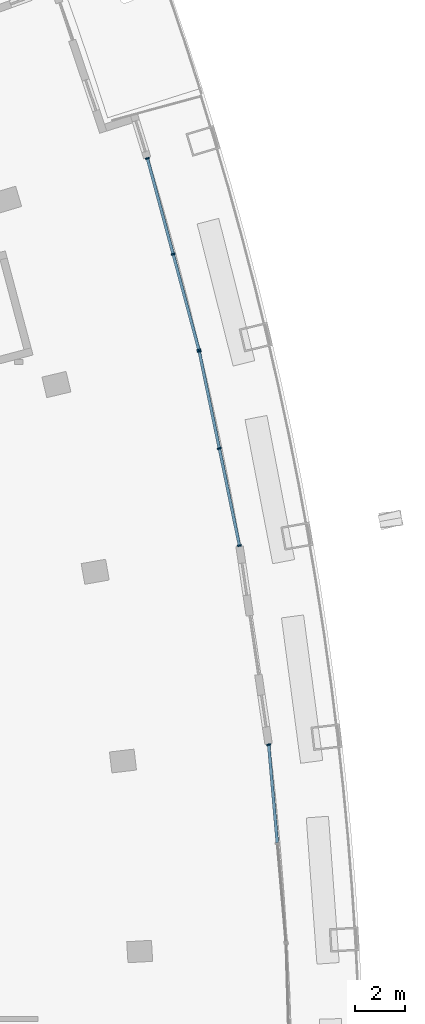
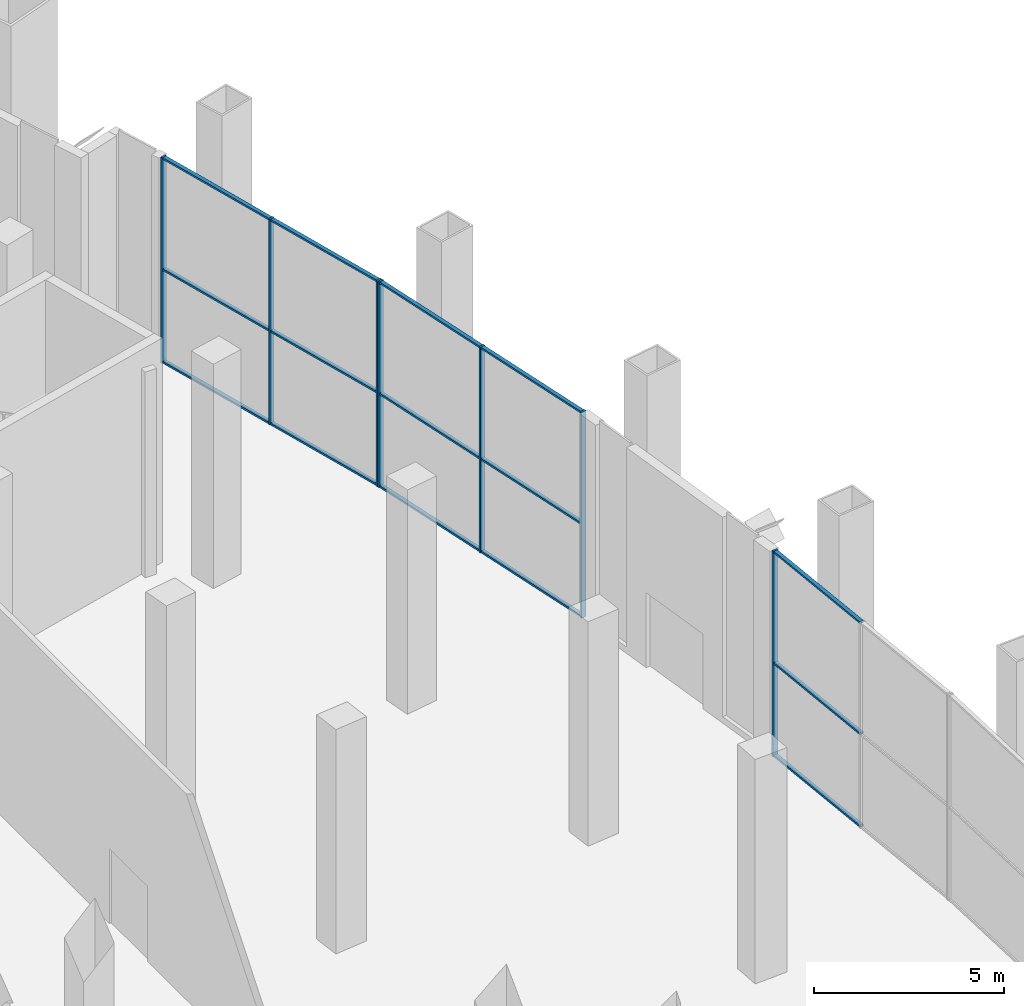
# One storey, part 6 of 18: 22 members, 3 elements without a shape of their own.
"""IFC4 building model written with IfcOpenShell, lengths in metres."""

from ifc_helpers import new_model, si_unit, direction, frame, origin, origin_2d, place, context, subcontext, project, spatial, rectangle, extrude, material, layer, layer_set, material_profile, profile_set, type_object, element, aggregate, save


model = new_model("IFC4")

# Units and contexts
model_context = context("Model", 3, precision=1e-05, world=origin(), true_north=direction((0.0, 1.0)))
body_context = subcontext(model_context, "Body", "Model", "MODEL_VIEW")
ifc_project = project(units=[si_unit("LENGTHUNIT", "METRE"), si_unit("AREAUNIT", "SQUARE_METRE"), si_unit("VOLUMEUNIT", "CUBIC_METRE"), si_unit("PLANEANGLEUNIT", "RADIAN"), si_unit("MASSUNIT", "GRAM", prefix="KILO")], contexts=[model_context])

# Site, building, storey
site_placement = place(None, origin())
site = spatial("IfcSite", under=ifc_project, at=site_placement, CompositionType="ELEMENT")
building_placement = place(site_placement, origin())
building = spatial("IfcBuilding", under=site, at=building_placement, Name="Alderwake Tower", CompositionType="ELEMENT")
storey_placement = place(building_placement, frame((0.0, 0.0, 125.60009765625)))
storey = spatial("IfcBuildingStorey", under=building, at=storey_placement, Name="L31", CompositionType="ELEMENT", Elevation=125.60009765625)

# Curtain wall, member
ifc_material_1 = material(Name="Bronze tinted glass in aluminium frame", Category="aluminium")
ifc_layer = layer(ifc_material_1, 0.199951171875)
ifc_layer_set = layer_set([ifc_layer], Name="Curtain wall CW3 sky garden glazing")
curtain_wall_type = type_object("IfcCurtainWallType", Name="Curtain wall CW3 sky garden glazing", PredefinedType="NOTDEFINED", material=ifc_layer_set)
curtain_wall_1_placement = place(storey_placement, origin())
curtain_wall_1 = element("IfcCurtainWall", 1, at=curtain_wall_1_placement, inside=storey, type_object=curtain_wall_type, Name="Curtain wall 8", PredefinedType="NOTDEFINED")
ifc_material_2 = material(Name="Aluminium bronze anodised", Category="aluminium")
ifc_material_profile_1 = material_profile(ifc_material_2, rectangle(XDim=0.159912109375, YDim=0.06005859375, at=origin_2d()), Name="Mullion MUC 60x160")
ifc_profile_set_1 = profile_set([ifc_material_profile_1], Name="Aluminium bronze anodised")
member_type_1 = type_object("IfcMemberType", Name="Mullion MUC 60x160", PredefinedType="MULLION", material=ifc_profile_set_1)
member_1_placement = place(storey_placement, frame((57.312744140625, 77.064208984375, 0.0), z_axis=(0.0, 0.0, 1.0), x_axis=(-0.996174383152, -0.087387632716, 0.0)))
member_1 = element("IfcMember", 2, at=member_1_placement, type_object=member_type_1, Name="CW.08 mullion 3", PredefinedType="MULLION", context=body_context, shape_type="SweptSolid", body=[
    extrude(rectangle(XDim=0.159912109375, YDim=0.06005859375, at=origin_2d()), origin(), (0.0, 0.0, 1.0), 6.599853515625),
])

# Curtain wall, members
curtain_wall_2_placement = place(storey_placement, origin())
curtain_wall_2 = element("IfcCurtainWall", 3, at=curtain_wall_2_placement, inside=storey, type_object=curtain_wall_type, Name="Curtain wall 9", PredefinedType="NOTDEFINED")
member_2_placement = place(storey_placement, frame((56.132568359375, 85.098388671875, 0.0), z_axis=(0.0, 0.0, 1.0), x_axis=(-0.979229280682, -0.202756050105, 0.0)))
member_2 = element("IfcMember", 4, at=member_2_placement, type_object=member_type_1, Name="CW.09 mullion 1", PredefinedType="MULLION", context=body_context, shape_type="SweptSolid", body=[
    extrude(rectangle(XDim=0.159912109375, YDim=0.06005859375, at=origin_2d()), origin(), (0.0, 0.0, 1.0), 6.599853515625),
])
member_3_placement = place(storey_placement, frame((55.321044921875, 89.0185546875, 0.0), z_axis=(0.0, 0.0, 1.0), x_axis=(-0.979229280682, -0.202756050105, 0.0)))
member_3 = element("IfcMember", 5, at=member_3_placement, type_object=member_type_1, Name="CW.09 mullion 2", PredefinedType="MULLION", context=body_context, shape_type="SweptSolid", body=[
    extrude(rectangle(XDim=0.159912109375, YDim=0.06005859375, at=origin_2d()), origin(), (0.0, 0.0, 1.0), 6.599853515625),
])
member_4_placement = place(storey_placement, frame((54.50927734375, 92.9384765625, 0.0), z_axis=(0.0, 0.0, 1.0), x_axis=(-0.979229280682, -0.202756050105, 0.0)))
member_4 = element("IfcMember", 6, at=member_4_placement, type_object=member_type_1, Name="CW.09 mullion 3", PredefinedType="MULLION", context=body_context, shape_type="SweptSolid", body=[
    extrude(rectangle(XDim=0.159912109375, YDim=0.06005859375, at=origin_2d()), origin(), (0.0, 0.0, 1.0), 6.599853515625),
])

curtain_wall_3_placement = place(storey_placement, origin())
curtain_wall_3 = element("IfcCurtainWall", 7, at=curtain_wall_3_placement, inside=storey, type_object=curtain_wall_type, Name="Curtain wall 10", PredefinedType="NOTDEFINED")
member_5_placement = place(storey_placement, frame((54.49609375, 92.993896484375, 0.0), z_axis=(0.0, 0.0, 1.0), x_axis=(-0.965743478497, -0.25949861992, 0.0)))
member_5 = element("IfcMember", 8, at=member_5_placement, type_object=member_type_1, Name="CW.10 mullion 1", PredefinedType="MULLION", context=body_context, shape_type="SweptSolid", body=[
    extrude(rectangle(XDim=0.159912109375, YDim=0.06005859375, at=origin_2d()), origin(), (0.0, 0.0, 1.0), 6.599853515625),
])
member_6_placement = place(storey_placement, frame((53.457275390625, 96.860107421875, 0.0), z_axis=(0.0, 0.0, 1.0), x_axis=(-0.965743478497, -0.25949861992, 0.0)))
member_6 = element("IfcMember", 9, at=member_6_placement, type_object=member_type_1, Name="CW.10 mullion 2", PredefinedType="MULLION", context=body_context, shape_type="SweptSolid", body=[
    extrude(rectangle(XDim=0.159912109375, YDim=0.06005859375, at=origin_2d()), origin(), (0.0, 0.0, 1.0), 6.599853515625),
])
member_7_placement = place(storey_placement, frame((52.41845703125, 100.72607421875, 0.0), z_axis=(0.0, 0.0, 1.0), x_axis=(-0.965743478497, -0.25949861992, 0.0)))
member_7 = element("IfcMember", 10, at=member_7_placement, type_object=member_type_1, Name="CW.10 mullion 3", PredefinedType="MULLION", context=body_context, shape_type="SweptSolid", body=[
    extrude(rectangle(XDim=0.159912109375, YDim=0.06005859375, at=origin_2d()), origin(), (0.0, 0.0, 1.0), 6.599853515625),
])

# Member
ifc_material_3 = material(Name="Aluminium bronze anodised", Category="aluminium")
ifc_material_profile_2 = material_profile(ifc_material_3, rectangle(XDim=0.1201171875, YDim=0.06005859375, at=origin_2d()), Name="Transom TRC 60x120")
ifc_profile_set_2 = profile_set([ifc_material_profile_2], Name="Aluminium bronze anodised")
member_type_2 = type_object("IfcMemberType", Name="Transom TRC 60x120", PredefinedType="USERDEFINED", material=ifc_profile_set_2)
member_8_placement = place(storey_placement, frame((57.659912109375, 73.106201171875, 0.02978515625), z_axis=(-0.087364344385, 0.996176425805, 0.0), x_axis=(-0.996176425805, -0.087364344385, 0.0)))
member_8 = element("IfcMember", 11, at=member_8_placement, type_object=member_type_2, Name="CW.08 transom 2.1", ObjectType="TRANSOM", PredefinedType="USERDEFINED", context=body_context, shape_type="SweptSolid", body=[
    extrude(rectangle(XDim=0.1201171875, YDim=0.06005859375, at=origin_2d()), origin(), (0.0, 0.0, 1.0), 3.943115234375),
])

member_9_placement = place(storey_placement, frame((57.659912109375, 73.106201171875, 3.0), z_axis=(-0.087364344385, 0.996176425805, 0.0), x_axis=(-0.996176425805, -0.087364344385, 0.0)))
member_9 = element("IfcMember", 12, at=member_9_placement, type_object=member_type_2, Name="CW.08 transom 2.2", ObjectType="TRANSOM", PredefinedType="USERDEFINED", context=body_context, shape_type="SweptSolid", body=[
    extrude(rectangle(XDim=0.1201171875, YDim=0.06005859375, at=origin_2d()), origin(), (0.0, 0.0, 1.0), 3.943115234375),
])

member_10_placement = place(storey_placement, frame((57.659912109375, 73.106201171875, 6.56982421875), z_axis=(-0.087364344385, 0.996176425805, 0.0), x_axis=(-0.996176425805, -0.087364344385, 0.0)))
member_10 = element("IfcMember", 13, at=member_10_placement, type_object=member_type_2, Name="CW.08 transom 2.3", ObjectType="TRANSOM", PredefinedType="USERDEFINED", context=body_context, shape_type="SweptSolid", body=[
    extrude(rectangle(XDim=0.1201171875, YDim=0.06005859375, at=origin_2d()), origin(), (0.0, 0.0, 1.0), 3.943115234375),
])

aggregate(curtain_wall_1, [member_1, member_8, member_9, member_10])

member_11_placement = place(storey_placement, frame((56.12646484375, 85.1279296875, 0.02978515625), z_axis=(-0.202720260793, 0.97923669042, 0.0), x_axis=(-0.97923669042, -0.202720260793, 0.0)))
member_11 = element("IfcMember", 14, at=member_11_placement, type_object=member_type_2, Name="CW.09 transom 1.1", ObjectType="TRANSOM", PredefinedType="USERDEFINED", context=body_context, shape_type="SweptSolid", body=[
    extrude(rectangle(XDim=0.1201171875, YDim=0.06005859375, at=origin_2d()), origin(), (0.0, 0.0, 1.0), 3.94287109375),
])

member_12_placement = place(storey_placement, frame((56.12646484375, 85.1279296875, 3.0), z_axis=(-0.202720260793, 0.97923669042, 0.0), x_axis=(-0.97923669042, -0.202720260793, 0.0)))
member_12 = element("IfcMember", 15, at=member_12_placement, type_object=member_type_2, Name="CW.09 transom 1.2", ObjectType="TRANSOM", PredefinedType="USERDEFINED", context=body_context, shape_type="SweptSolid", body=[
    extrude(rectangle(XDim=0.1201171875, YDim=0.06005859375, at=origin_2d()), origin(), (0.0, 0.0, 1.0), 3.94287109375),
])

member_13_placement = place(storey_placement, frame((56.12646484375, 85.1279296875, 6.56982421875), z_axis=(-0.202720260793, 0.97923669042, 0.0), x_axis=(-0.97923669042, -0.202720260793, 0.0)))
member_13 = element("IfcMember", 16, at=member_13_placement, type_object=member_type_2, Name="CW.09 transom 1.3", ObjectType="TRANSOM", PredefinedType="USERDEFINED", context=body_context, shape_type="SweptSolid", body=[
    extrude(rectangle(XDim=0.1201171875, YDim=0.06005859375, at=origin_2d()), origin(), (0.0, 0.0, 1.0), 3.94287109375),
])

member_14_placement = place(storey_placement, frame((55.31494140625, 89.0478515625, 0.02978515625), z_axis=(-0.202767339319, 0.979226943106, 0.0), x_axis=(-0.979226943106, -0.202767339319, 0.0)))
member_14 = element("IfcMember", 17, at=member_14_placement, type_object=member_type_2, Name="CW.09 transom 2.1", ObjectType="TRANSOM", PredefinedType="USERDEFINED", context=body_context, shape_type="SweptSolid", body=[
    extrude(rectangle(XDim=0.1201171875, YDim=0.06005859375, at=origin_2d()), origin(), (0.0, 0.0, 1.0), 3.943359375),
])

member_15_placement = place(storey_placement, frame((55.31494140625, 89.0478515625, 3.0), z_axis=(-0.202767339319, 0.979226943106, 0.0), x_axis=(-0.979226943106, -0.202767339319, 0.0)))
member_15 = element("IfcMember", 18, at=member_15_placement, type_object=member_type_2, Name="CW.09 transom 2.2", ObjectType="TRANSOM", PredefinedType="USERDEFINED", context=body_context, shape_type="SweptSolid", body=[
    extrude(rectangle(XDim=0.1201171875, YDim=0.06005859375, at=origin_2d()), origin(), (0.0, 0.0, 1.0), 3.943359375),
])

member_16_placement = place(storey_placement, frame((55.31494140625, 89.0478515625, 6.56982421875), z_axis=(-0.202767339319, 0.979226943106, 0.0), x_axis=(-0.979226943106, -0.202767339319, 0.0)))
member_16 = element("IfcMember", 19, at=member_16_placement, type_object=member_type_2, Name="CW.09 transom 2.3", ObjectType="TRANSOM", PredefinedType="USERDEFINED", context=body_context, shape_type="SweptSolid", body=[
    extrude(rectangle(XDim=0.1201171875, YDim=0.06005859375, at=origin_2d()), origin(), (0.0, 0.0, 1.0), 3.943359375),
])

aggregate(curtain_wall_2, [member_2, member_3, member_4, member_11, member_12, member_13, member_14, member_15, member_16])

member_17_placement = place(storey_placement, frame((54.48828125, 93.02294921875, 0.02978515625), z_axis=(-0.25948495371, 0.965747150552, 0.0), x_axis=(-0.965747150552, -0.25948495371, 0.0)))
member_17 = element("IfcMember", 20, at=member_17_placement, type_object=member_type_2, Name="CW.10 transom 1.1", ObjectType="TRANSOM", PredefinedType="USERDEFINED", context=body_context, shape_type="SweptSolid", body=[
    extrude(rectangle(XDim=0.1201171875, YDim=0.06005859375, at=origin_2d()), origin(), (0.0, 0.0, 1.0), 3.943115234375),
])

member_18_placement = place(storey_placement, frame((54.48828125, 93.02294921875, 3.0), z_axis=(-0.25948495371, 0.965747150552, 0.0), x_axis=(-0.965747150552, -0.25948495371, 0.0)))
member_18 = element("IfcMember", 21, at=member_18_placement, type_object=member_type_2, Name="CW.10 transom 1.2", ObjectType="TRANSOM", PredefinedType="USERDEFINED", context=body_context, shape_type="SweptSolid", body=[
    extrude(rectangle(XDim=0.1201171875, YDim=0.06005859375, at=origin_2d()), origin(), (0.0, 0.0, 1.0), 3.943115234375),
])

member_19_placement = place(storey_placement, frame((54.48828125, 93.02294921875, 6.56982421875), z_axis=(-0.25948495371, 0.965747150552, 0.0), x_axis=(-0.965747150552, -0.25948495371, 0.0)))
member_19 = element("IfcMember", 22, at=member_19_placement, type_object=member_type_2, Name="CW.10 transom 1.3", ObjectType="TRANSOM", PredefinedType="USERDEFINED", context=body_context, shape_type="SweptSolid", body=[
    extrude(rectangle(XDim=0.1201171875, YDim=0.06005859375, at=origin_2d()), origin(), (0.0, 0.0, 1.0), 3.943115234375),
])

member_20_placement = place(storey_placement, frame((53.449462890625, 96.888916015625, 0.02978515625), z_axis=(-0.25948495371, 0.965747150552, 0.0), x_axis=(-0.965747150552, -0.25948495371, 0.0)))
member_20 = element("IfcMember", 23, at=member_20_placement, type_object=member_type_2, Name="CW.10 transom 2.1", ObjectType="TRANSOM", PredefinedType="USERDEFINED", context=body_context, shape_type="SweptSolid", body=[
    extrude(rectangle(XDim=0.1201171875, YDim=0.06005859375, at=origin_2d()), origin(), (0.0, 0.0, 1.0), 3.943115234375),
])

member_21_placement = place(storey_placement, frame((53.449462890625, 96.888916015625, 3.0), z_axis=(-0.25948495371, 0.965747150552, 0.0), x_axis=(-0.965747150552, -0.25948495371, 0.0)))
member_21 = element("IfcMember", 24, at=member_21_placement, type_object=member_type_2, Name="CW.10 transom 2.2", ObjectType="TRANSOM", PredefinedType="USERDEFINED", context=body_context, shape_type="SweptSolid", body=[
    extrude(rectangle(XDim=0.1201171875, YDim=0.06005859375, at=origin_2d()), origin(), (0.0, 0.0, 1.0), 3.943115234375),
])

member_22_placement = place(storey_placement, frame((53.449462890625, 96.888916015625, 6.56982421875), z_axis=(-0.25948495371, 0.965747150552, 0.0), x_axis=(-0.965747150552, -0.25948495371, 0.0)))
member_22 = element("IfcMember", 25, at=member_22_placement, type_object=member_type_2, Name="CW.10 transom 2.3", ObjectType="TRANSOM", PredefinedType="USERDEFINED", context=body_context, shape_type="SweptSolid", body=[
    extrude(rectangle(XDim=0.1201171875, YDim=0.06005859375, at=origin_2d()), origin(), (0.0, 0.0, 1.0), 3.943115234375),
])

aggregate(curtain_wall_3, [member_5, member_6, member_7, member_17, member_18, member_19, member_20, member_21, member_22])

save(model, "model.ifc")
